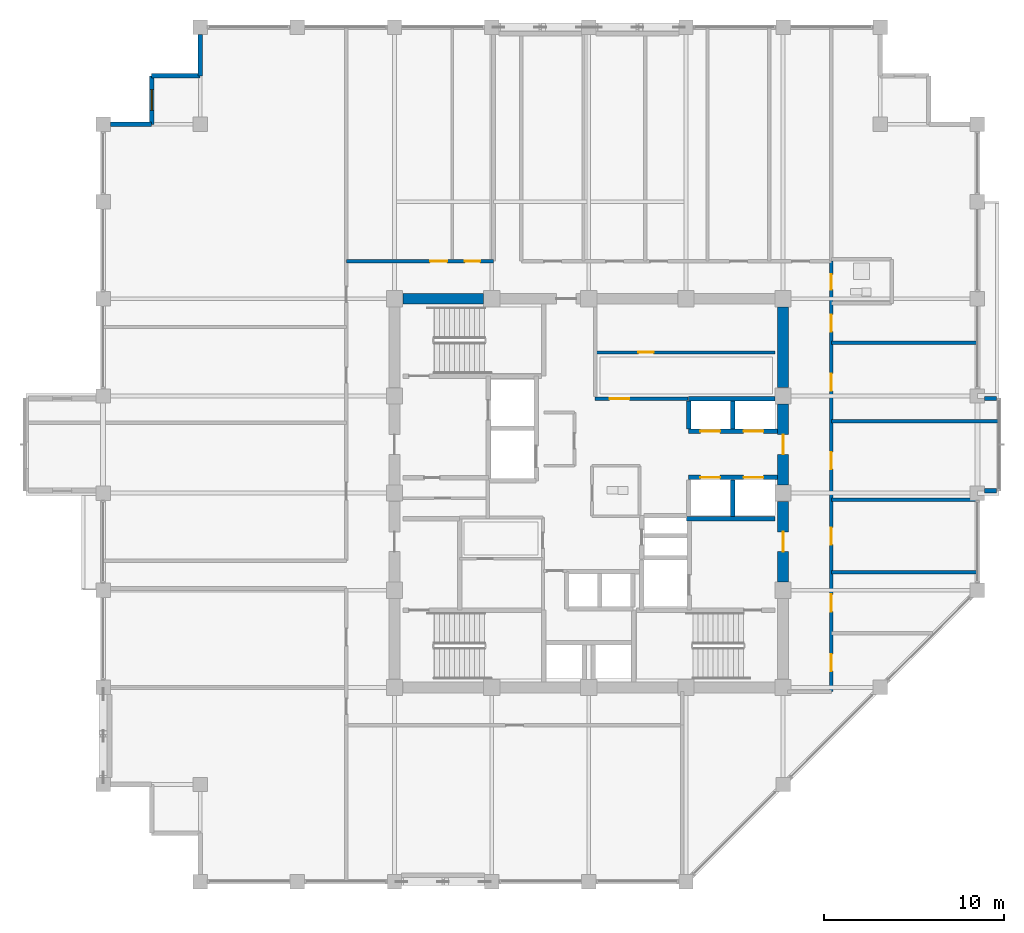
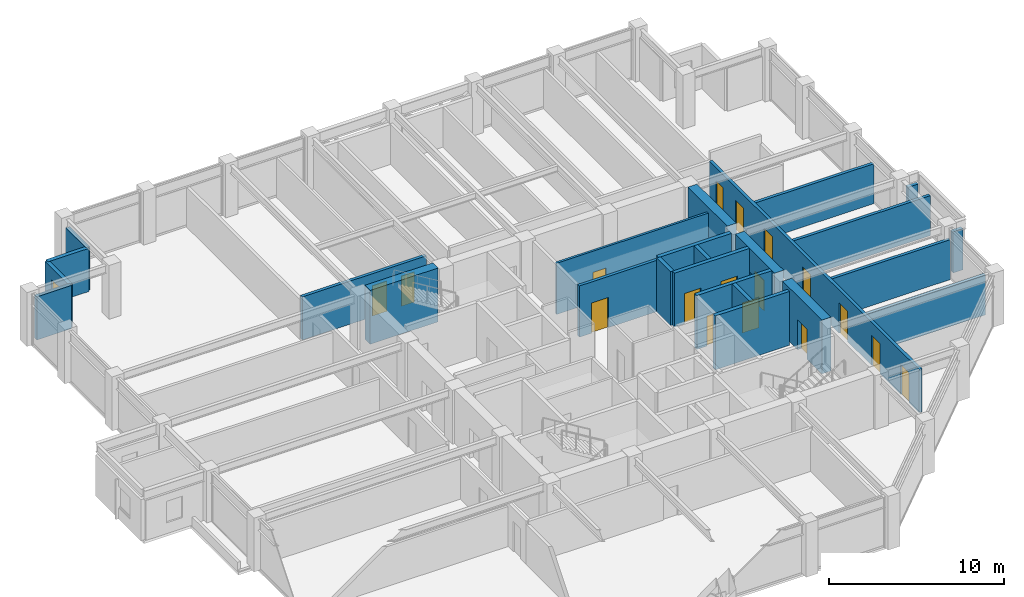
# One storey, part 24 of 28: 25 walls, 17 doors, 1 window, 18 openings.
"""IFC4 building model written with IfcOpenShell, lengths in metres."""

from ifc_helpers import new_model, si_unit, direction, frame, frame_2d, origin, place, context, subcontext, project, spatial, rectangle, extrude, material, layer, layer_set, type_object, element, fill, save


model = new_model("IFC4")

# Units and contexts
model_context = context("Model", 3, precision=1e-05, world=origin(), true_north=direction((0.0, 1.0)))
body_context = subcontext(model_context, "Body", "Model", "MODEL_VIEW")
ifc_project = project(units=[si_unit("LENGTHUNIT", "METRE"), si_unit("AREAUNIT", "SQUARE_METRE"), si_unit("VOLUMEUNIT", "CUBIC_METRE"), si_unit("PLANEANGLEUNIT", "RADIAN"), si_unit("MASSUNIT", "GRAM", prefix="KILO")], contexts=[model_context])

# Site, building, storey
site_placement = place(None, origin())
site = spatial("IfcSite", under=ifc_project, at=site_placement, CompositionType="ELEMENT")
building_placement = place(site_placement, origin())
building = spatial("IfcBuilding", under=site, at=building_placement, Name="Surkhivell Harbour Commons", CompositionType="ELEMENT")
storey_placement = place(building_placement, frame((0.0, 0.0, 238.5)))
storey = spatial("IfcBuildingStorey", under=building, at=storey_placement, Name="L62", CompositionType="ELEMENT", Elevation=238.5)

# Wall
ifc_material_1 = material(Name="Concrete C60/75", Category="concrete")
ifc_layer_1 = layer(ifc_material_1, 0.60009765625)
ifc_layer_set_1 = layer_set([ifc_layer_1], Name="Concrete C60/75")
wall_type_1 = type_object("IfcWallType", Name="WAL-CORE-600", PredefinedType="SHEAR", material=ifc_layer_set_1)
wall_1_placement = place(storey_placement, frame((-10.340087890625, 10.800048828125, 0.0), z_axis=(0.0, 0.0, 1.0), x_axis=(1.0, 0.0, 0.0)))
element("IfcWall", 1, at=wall_1_placement, inside=storey, type_object=wall_type_1, Name="L62 Core Shear Wall North 1", PredefinedType="SHEAR", context=body_context, shape_type="SweptSolid", body=[
    extrude(rectangle(XDim=4.47998046875, YDim=0.60009765625, at=frame_2d((2.239990234375, 0.0))), origin(), (0.0, 0.0, 1.0), 3.75),
])

# Wall, opening, door
wall_2_placement = place(storey_placement, frame((10.800048828125, -4.93994140625, 0.0), z_axis=(0.0, 0.0, 1.0), x_axis=(0.0, 1.0, 0.0)))
wall_2 = element("IfcWall", 2, at=wall_2_placement, inside=storey, type_object=wall_type_1, Name="L62 Core Shear Wall East 2", PredefinedType="SHEAR", context=body_context, shape_type="SweptSolid", body=[
    extrude(rectangle(XDim=4.47998046875, YDim=0.60009765625, at=frame_2d((2.239990234375, 0.0))), origin(), (0.0, 0.0, 1.0), 3.75),
])
opening_1_placement = place(wall_2_placement, frame((1.68994140625, 0.0, 0.0)))
opening_1 = element("IfcOpeningElement", 3, at=opening_1_placement, cuts=wall_2, Name="Opening ID-1", PredefinedType="OPENING", context=body_context, shape_type="SweptSolid", body=[
    extrude(rectangle(XDim=1.10009765625, YDim=2.10009765625, at=frame_2d((0.550048828125, 1.050048828125))), frame((0.0, 0.31005859375, 0.0), z_axis=(0.0, -1.0, 0.0), x_axis=(1.0, 0.0, 0.0)), (0.0, 0.0, 1.0), 0.6201171875),
])
ifc_material_2 = material(Name="Hardwood-veneered fire-rated door leaf", Category="wood")
door_type_1 = type_object("IfcDoorType", Name="DOR-FD120-1100", OperationType="NOTDEFINED", PredefinedType="DOOR", material=ifc_material_2)
door_1_placement = place(opening_1_placement, origin())
door_1 = element("IfcDoor", 4, at=door_1_placement, inside=storey, type_object=door_type_1, Name="L62 Firefighting Lobby 2 Corridor Door", OperationType="SINGLE_SWING_RIGHT", OverallHeight=2.10009765625, OverallWidth=1.10009765625, PredefinedType="DOOR", context=body_context, shape_type="SweptSolid", body=[
    extrude(rectangle(XDim=1.10009765625, YDim=2.10009765625, at=frame_2d((0.550048828125, 1.050048828125))), frame((0.0, 0.02490234375, 0.0), z_axis=(0.0, -1.0, 0.0), x_axis=(1.0, 0.0, 0.0)), (0.0, 0.0, 1.0), 0.050048828125),
])
fill(opening_1, door_1)

wall_3_placement = place(storey_placement, frame((10.800048828125, 0.4599609375, 0.0), z_axis=(0.0, 0.0, 1.0), x_axis=(0.0, 1.0, 0.0)))
wall_3 = element("IfcWall", 5, at=wall_3_placement, inside=storey, type_object=wall_type_1, Name="L62 Core Shear Wall East 3", PredefinedType="SHEAR", context=body_context, shape_type="SweptSolid", body=[
    extrude(rectangle(XDim=4.47998046875, YDim=0.60009765625, at=frame_2d((2.239990234375, 0.0))), origin(), (0.0, 0.0, 1.0), 3.75),
])
opening_2_placement = place(wall_3_placement, frame((1.68994140625, 0.0, 0.0)))
opening_2 = element("IfcOpeningElement", 6, at=opening_2_placement, cuts=wall_3, Name="Opening ID-2", PredefinedType="OPENING", context=body_context, shape_type="SweptSolid", body=[
    extrude(rectangle(XDim=1.10009765625, YDim=2.10009765625, at=frame_2d((0.550048828125, 1.050048828125))), frame((0.0, 0.31005859375, 0.0), z_axis=(0.0, -1.0, 0.0), x_axis=(1.0, 0.0, 0.0)), (0.0, 0.0, 1.0), 0.6201171875),
])
door_type_2 = type_object("IfcDoorType", Name="DOR-FD60-1100", OperationType="NOTDEFINED", PredefinedType="DOOR", material=ifc_material_2)
door_2_placement = place(opening_2_placement, origin())
door_2 = element("IfcDoor", 7, at=door_2_placement, inside=storey, type_object=door_type_2, Name="L62 Mid-Rise Lobby East Door", OperationType="SINGLE_SWING_LEFT", OverallHeight=2.10009765625, OverallWidth=1.10009765625, PredefinedType="DOOR", context=body_context, shape_type="SweptSolid", body=[
    extrude(rectangle(XDim=1.10009765625, YDim=2.10009765625, at=frame_2d((0.550048828125, 1.050048828125))), frame((0.0, 0.02490234375, 0.0), z_axis=(0.0, -1.0, 0.0), x_axis=(1.0, 0.0, 0.0)), (0.0, 0.0, 1.0), 0.050048828125),
])
fill(opening_2, door_2)

# Walls
wall_4_placement = place(storey_placement, frame((10.800048828125, 5.860107421875, 0.0), z_axis=(0.0, 0.0, 1.0), x_axis=(0.0, 1.0, 0.0)))
element("IfcWall", 8, at=wall_4_placement, inside=storey, type_object=wall_type_1, Name="L62 Core Shear Wall East 4", PredefinedType="SHEAR", context=body_context, shape_type="SweptSolid", body=[
    extrude(rectangle(XDim=4.47998046875, YDim=0.60009765625, at=frame_2d((2.239990234375, 0.0))), origin(), (0.0, 0.0, 1.0), 3.75),
])
ifc_material_3 = material(Name="Pale-metal insulated precast concrete C45/55", Category="concrete")
ifc_layer_2 = layer(ifc_material_3, 0.260009765625)
ifc_layer_set_2 = layer_set([ifc_layer_2], Name="Pale-metal insulated precast concrete C45/55")
wall_type_2 = type_object("IfcWallType", Name="WAL-EXT-MTL260", PredefinedType="STANDARD", material=ifc_layer_set_2)
wall_5_placement = place(storey_placement, frame((-21.60009765625, 25.501953125, 0.0), z_axis=(0.0, 0.0, 1.0), x_axis=(0.0, -1.0, 0.0)))
element("IfcWall", 9, at=wall_5_placement, inside=storey, type_object=wall_type_2, Name="L62 Serrated Corner Facade Wall 08", PredefinedType="STANDARD", context=body_context, shape_type="SweptSolid", body=[
    extrude(rectangle(XDim=2.302001953125, YDim=0.260009765625, at=frame_2d((1.15087890625, 0.0))), origin(), (0.0, 0.0, 1.0), 3.006103515625),
])
wall_6_placement = place(storey_placement, frame((-21.60009765625, 23.199951171875, 0.0), z_axis=(0.0, 0.0, 1.0), x_axis=(-1.0, 0.0, 0.0)))
element("IfcWall", 10, at=wall_6_placement, inside=storey, type_object=wall_type_2, Name="L62 Serrated Corner Facade Wall 09", PredefinedType="STANDARD", context=body_context, shape_type="SweptSolid", body=[
    extrude(rectangle(XDim=2.699951171875, YDim=0.260009765625, at=frame_2d((1.35009765625, 0.0))), origin(), (0.0, 0.0, 1.0), 3.006103515625),
])

# Wall, opening, window
wall_7_placement = place(storey_placement, frame((-24.300048828125, 23.199951171875, 0.0), z_axis=(0.0, 0.0, 1.0), x_axis=(0.0, -1.0, 0.0)))
wall_7 = element("IfcWall", 11, at=wall_7_placement, inside=storey, type_object=wall_type_2, Name="L62 Serrated Corner Facade Wall 10", PredefinedType="STANDARD", context=body_context, shape_type="SweptSolid", body=[
    extrude(rectangle(XDim=2.699951171875, YDim=0.260009765625, at=frame_2d((1.35009765625, 0.0))), origin(), (0.0, 0.0, 1.0), 3.006103515625),
])
opening_3_placement = place(wall_7_placement, frame((0.77490234375, 0.0, 0.64990234375)))
opening_3 = element("IfcOpeningElement", 12, at=opening_3_placement, cuts=wall_7, Name="Opening WN-10", PredefinedType="OPENING", context=body_context, shape_type="SweptSolid", body=[
    extrude(rectangle(XDim=1.14990234375, YDim=1.550048828125, at=frame_2d((0.574951171875, 0.77490234375))), frame((0.0, 0.139892578125, 0.0), z_axis=(0.0, -1.0, 0.0), x_axis=(1.0, 0.0, 0.0)), (0.0, 0.0, 1.0), 0.280029296875),
])
ifc_material_4 = material(Name="Thermal-break aluminium frame and double low-E glazing", Category="aluminium")
window_type = type_object("IfcWindowType", Name="WIN-SER-1150x1550", PartitioningType="SINGLE_PANEL", PredefinedType="WINDOW", material=ifc_material_4)
window_placement = place(opening_3_placement, origin())
window = element("IfcWindow", 13, at=window_placement, inside=storey, type_object=window_type, Name="L62 Serrated Alcove Window 10", OverallHeight=1.550048828125, OverallWidth=1.14990234375, PartitioningType="SINGLE_PANEL", PredefinedType="WINDOW", context=body_context, shape_type="SweptSolid", body=[
    extrude(rectangle(XDim=1.14990234375, YDim=1.550048828125, at=frame_2d((0.574951171875, 0.77490234375))), frame((0.0, 0.030029296875, 0.0), z_axis=(0.0, -1.0, 0.0), x_axis=(1.0, 0.0, 0.0)), (0.0, 0.0, 1.0), 0.06005859375),
])
fill(opening_3, window)

# Walls
wall_8_placement = place(storey_placement, frame((-24.300048828125, 20.5, 0.0), z_axis=(0.0, 0.0, 1.0), x_axis=(-1.0, 0.0, 0.0)))
element("IfcWall", 14, at=wall_8_placement, inside=storey, type_object=wall_type_2, Name="L62 Serrated Corner Facade Wall 11", PredefinedType="STANDARD", context=body_context, shape_type="SweptSolid", body=[
    extrude(rectangle(XDim=2.302001953125, YDim=0.260009765625, at=frame_2d((1.15087890625, 0.0))), origin(), (0.0, 0.0, 1.0), 3.006103515625),
])
ifc_material_5 = material(Name="Bronze-ochre cassette precast concrete C45/55", Category="concrete")
ifc_layer_3 = layer(ifc_material_5, 0.239990234375)
ifc_layer_set_3 = layer_set([ifc_layer_3], Name="Bronze-ochre cassette precast concrete C45/55")
wall_type_3 = type_object("IfcWallType", Name="WAL-EXT-OCH240", PredefinedType="STANDARD", material=ifc_layer_set_3)
for number, where, z_axis, x_axis, name in (
    (15, (22.00390625, 0.139892578125, 0.0), (0.0, 0.0, 1.0), (1.0, 0.0, 0.0), "L62 Coloured Box Return Wall 01S"),
    (16, (22.00390625, 5.260009765625, 0.0), (0.0, 0.0, 1.0), (1.0, 0.0, 0.0), "L62 Coloured Box Return Wall 01N"),
):
    element("IfcWall", number, at=place(storey_placement, frame(where, z_axis=z_axis, x_axis=x_axis)), inside=storey, type_object=wall_type_3, Name=name, PredefinedType="STANDARD", context=body_context, shape_type="SweptSolid", body=[
        extrude(rectangle(XDim=0.656005859375, YDim=0.239990234375, at=frame_2d((0.328125, 0.0))), origin(), (0.0, 0.0, 1.0), 2.85693359375),
    ])

# Wall, opening, door
ifc_material_6 = material(Name="Twin-stud acoustic fireboard partition", Category="other")
ifc_layer_4 = layer(ifc_material_6, 0.14990234375)
ifc_layer_set_4 = layer_set([ifc_layer_4], Name="Twin-stud acoustic fireboard partition")
wall_type_4 = type_object("IfcWallType", Name="WAL-INT-150", PredefinedType="PARTITIONING", material=ifc_layer_set_4)
wall_9_placement = place(storey_placement, frame((0.35009765625, 7.820068359375, 0.0), z_axis=(0.0, 0.0, 1.0), x_axis=(1.0, 0.0, 0.0)))
wall_9 = element("IfcWall", 17, at=wall_9_placement, inside=storey, type_object=wall_type_4, Name="L62 Core Archive Partition", PredefinedType="PARTITIONING", context=body_context, shape_type="SweptSolid", body=[
    extrude(rectangle(XDim=9.989990234375, YDim=0.14990234375, at=frame_2d((4.9951171875, 0.0))), origin(), (0.0, 0.0, 1.0), 3.570068359375),
])
opening_4_placement = place(wall_9_placement, frame((2.39990234375, 0.0, 0.0)))
opening_4 = element("IfcOpeningElement", 18, at=opening_4_placement, cuts=wall_9, Name="Opening ID-6", PredefinedType="OPENING", context=body_context, shape_type="SweptSolid", body=[
    extrude(rectangle(XDim=0.85009765625, YDim=2.10009765625, at=frame_2d((0.425048828125, 1.050048828125))), frame((0.0, 0.0849609375, 0.0), z_axis=(0.0, -1.0, 0.0), x_axis=(1.0, 0.0, 0.0)), (0.0, 0.0, 1.0), 0.169921875),
])
door_type_3 = type_object("IfcDoorType", Name="DOR-FD30-850", OperationType="NOTDEFINED", PredefinedType="DOOR", material=ifc_material_2)
door_3_placement = place(opening_4_placement, origin())
door_3 = element("IfcDoor", 19, at=door_3_placement, inside=storey, type_object=door_type_3, Name="L62 Archive Room Door", OperationType="SINGLE_SWING_LEFT", OverallHeight=2.10009765625, OverallWidth=0.85009765625, PredefinedType="DOOR", context=body_context, shape_type="SweptSolid", body=[
    extrude(rectangle(XDim=0.85009765625, YDim=2.10009765625, at=frame_2d((0.425048828125, 1.050048828125))), frame((0.0, 0.02490234375, 0.0), z_axis=(0.0, -1.0, 0.0), x_axis=(1.0, 0.0, 0.0)), (0.0, 0.0, 1.0), 0.050048828125),
])
fill(opening_4, door_3)

ifc_material_7 = material(Name="Autoclaved aerated concrete blockwork and fire plaster", Category="masonry")
ifc_layer_5 = layer(ifc_material_7, 0.199951171875)
ifc_layer_set_5 = layer_set([ifc_layer_5], Name="Autoclaved aerated concrete blockwork and fire plaster")
wall_type_5 = type_object("IfcWallType", Name="WAL-INT-200", PredefinedType="PARTITIONING", material=ifc_layer_set_5)
wall_10_placement = place(storey_placement, frame((0.35009765625, 5.239990234375, 0.0), z_axis=(0.0, 0.0, 1.0), x_axis=(1.0, 0.0, 0.0)))
wall_10 = element("IfcWall", 20, at=wall_10_placement, inside=storey, type_object=wall_type_5, Name="L62 Reclaimed Core North Bay South Wall", PredefinedType="PARTITIONING", context=body_context, shape_type="SweptSolid", body=[
    extrude(rectangle(XDim=5.14990234375, YDim=0.199951171875, at=frame_2d((2.574951171875, 0.0))), origin(), (0.0, 0.0, 1.0), 3.570068359375),
])
opening_5_placement = place(wall_10_placement, frame((0.800048828125, 0.0, 0.0)))
opening_5 = element("IfcOpeningElement", 21, at=opening_5_placement, cuts=wall_10, Name="Opening ID-2", PredefinedType="OPENING", context=body_context, shape_type="SweptSolid", body=[
    extrude(rectangle(XDim=1.10009765625, YDim=2.10009765625, at=frame_2d((0.550048828125, 1.050048828125))), frame((0.0, 0.10986328125, 0.0), z_axis=(0.0, -1.0, 0.0), x_axis=(1.0, 0.0, 0.0)), (0.0, 0.0, 1.0), 0.219970703125),
])
door_4_placement = place(opening_5_placement, origin())
door_4 = element("IfcDoor", 22, at=door_4_placement, inside=storey, type_object=door_type_2, Name="L62 Study Alcove Door", OperationType="SINGLE_SWING_RIGHT", OverallHeight=2.10009765625, OverallWidth=1.10009765625, PredefinedType="DOOR", context=body_context, shape_type="SweptSolid", body=[
    extrude(rectangle(XDim=1.10009765625, YDim=2.10009765625, at=frame_2d((0.550048828125, 1.050048828125))), frame((0.0, 0.02490234375, 0.0), z_axis=(0.0, -1.0, 0.0), x_axis=(1.0, 0.0, 0.0)), (0.0, 0.0, 1.0), 0.050048828125),
])
fill(opening_5, door_4)

# Wall, openings, doors
wall_11_placement = place(storey_placement, frame((13.47998046875, -11.0400390625, 0.0), z_axis=(0.0, 0.0, 1.0), x_axis=(0.0, 1.0, 0.0)))
wall_11 = element("IfcWall", 23, at=wall_11_placement, inside=storey, type_object=wall_type_5, Name="L62 Corridor East Wall", PredefinedType="PARTITIONING", context=body_context, shape_type="SweptSolid", body=[
    extrude(rectangle(XDim=23.93994140625, YDim=0.199951171875, at=frame_2d((11.969970703125, 0.0))), origin(), (0.0, 0.0, 1.0), 3.006103515625),
])
opening_6_placement = place(wall_11_placement, frame((1.139892578125, 0.0, 0.0)))
opening_6 = element("IfcOpeningElement", 24, at=opening_6_placement, cuts=wall_11, Name="Opening ID-4", PredefinedType="OPENING", context=body_context, shape_type="SweptSolid", body=[
    extrude(rectangle(XDim=0.949951171875, YDim=2.10009765625, at=frame_2d((0.47509765625, 1.050048828125))), frame((0.0, 0.10986328125, 0.0), z_axis=(0.0, -1.0, 0.0), x_axis=(1.0, 0.0, 0.0)), (0.0, 0.0, 1.0), 0.219970703125),
])
opening_7_placement = place(wall_11_placement, frame((22.344970703125, 0.0, 0.0)))
opening_7 = element("IfcOpeningElement", 25, at=opening_7_placement, cuts=wall_11, Name="Opening ID-6", PredefinedType="OPENING", context=body_context, shape_type="SweptSolid", body=[
    extrude(rectangle(XDim=0.85009765625, YDim=2.10009765625, at=frame_2d((0.425048828125, 1.050048828125))), frame((0.0, 0.10986328125, 0.0), z_axis=(0.0, -1.0, 0.0), x_axis=(1.0, 0.0, 0.0)), (0.0, 0.0, 1.0), 0.219970703125),
])
opening_8_placement = place(wall_11_placement, frame((20.010009765625, 0.0, 0.0)))
opening_8 = element("IfcOpeningElement", 26, at=opening_8_placement, cuts=wall_11, Name="Opening ID-4", PredefinedType="OPENING", context=body_context, shape_type="SweptSolid", body=[
    extrude(rectangle(XDim=0.949951171875, YDim=2.10009765625, at=frame_2d((0.47509765625, 1.050048828125))), frame((0.0, 0.10986328125, 0.0), z_axis=(0.0, -1.0, 0.0), x_axis=(1.0, 0.0, 0.0)), (0.0, 0.0, 1.0), 0.219970703125),
])
opening_9_placement = place(wall_11_placement, frame((4.455078125, 0.0, 0.0)))
opening_9 = element("IfcOpeningElement", 27, at=opening_9_placement, cuts=wall_11, Name="Opening ID-4", PredefinedType="OPENING", context=body_context, shape_type="SweptSolid", body=[
    extrude(rectangle(XDim=0.949951171875, YDim=2.10009765625, at=frame_2d((0.47509765625, 1.050048828125))), frame((0.0, 0.10986328125, 0.0), z_axis=(0.0, -1.0, 0.0), x_axis=(1.0, 0.0, 0.0)), (0.0, 0.0, 1.0), 0.219970703125),
])
opening_10_placement = place(wall_11_placement, frame((8.169921875, 0.0, 0.0)))
opening_10 = element("IfcOpeningElement", 28, at=opening_10_placement, cuts=wall_11, Name="Opening ID-4", PredefinedType="OPENING", context=body_context, shape_type="SweptSolid", body=[
    extrude(rectangle(XDim=0.949951171875, YDim=2.10009765625, at=frame_2d((0.47509765625, 1.050048828125))), frame((0.0, 0.10986328125, 0.0), z_axis=(0.0, -1.0, 0.0), x_axis=(1.0, 0.0, 0.0)), (0.0, 0.0, 1.0), 0.219970703125),
])
opening_11_placement = place(wall_11_placement, frame((12.3701171875, 0.0, 0.0)))
opening_11 = element("IfcOpeningElement", 29, at=opening_11_placement, cuts=wall_11, Name="Opening ID-4", PredefinedType="OPENING", context=body_context, shape_type="SweptSolid", body=[
    extrude(rectangle(XDim=0.949951171875, YDim=2.10009765625, at=frame_2d((0.47509765625, 1.050048828125))), frame((0.0, 0.10986328125, 0.0), z_axis=(0.0, -1.0, 0.0), x_axis=(1.0, 0.0, 0.0)), (0.0, 0.0, 1.0), 0.219970703125),
])
opening_12_placement = place(wall_11_placement, frame((16.72998046875, 0.0, 0.0)))
opening_12 = element("IfcOpeningElement", 30, at=opening_12_placement, cuts=wall_11, Name="Opening ID-4", PredefinedType="OPENING", context=body_context, shape_type="SweptSolid", body=[
    extrude(rectangle(XDim=0.949951171875, YDim=2.10009765625, at=frame_2d((0.47509765625, 1.050048828125))), frame((0.0, 0.10986328125, 0.0), z_axis=(0.0, -1.0, 0.0), x_axis=(1.0, 0.0, 0.0)), (0.0, 0.0, 1.0), 0.219970703125),
])
door_5_placement = place(opening_7_placement, origin())
door_5 = element("IfcDoor", 31, at=door_5_placement, inside=storey, type_object=door_type_3, Name="L62 Communal Shower Bathroom East Door", OperationType="SINGLE_SWING_LEFT", OverallHeight=2.10009765625, OverallWidth=0.85009765625, PredefinedType="DOOR", context=body_context, shape_type="SweptSolid", body=[
    extrude(rectangle(XDim=0.85009765625, YDim=2.10009765625, at=frame_2d((0.425048828125, 1.050048828125))), frame((0.0, 0.02490234375, 0.0), z_axis=(0.0, -1.0, 0.0), x_axis=(1.0, 0.0, 0.0)), (0.0, 0.0, 1.0), 0.050048828125),
])
fill(opening_7, door_5)
door_type_4 = type_object("IfcDoorType", Name="DOR-FD60-950", OperationType="NOTDEFINED", PredefinedType="DOOR", material=ifc_material_2)
door_6_placement = place(opening_6_placement, origin())
door_6 = element("IfcDoor", 32, at=door_6_placement, inside=storey, type_object=door_type_4, Name="L62 Shared Communal Kitchen East Door", OperationType="SINGLE_SWING_RIGHT", OverallHeight=2.10009765625, OverallWidth=0.949951171875, PredefinedType="DOOR", context=body_context, shape_type="SweptSolid", body=[
    extrude(rectangle(XDim=0.949951171875, YDim=2.10009765625, at=frame_2d((0.47509765625, 1.050048828125))), frame((0.0, 0.02490234375, 0.0), z_axis=(0.0, -1.0, 0.0), x_axis=(1.0, 0.0, 0.0)), (0.0, 0.0, 1.0), 0.050048828125),
])
fill(opening_6, door_6)
door_7_placement = place(opening_8_placement, origin())
door_7 = element("IfcDoor", 33, at=door_7_placement, inside=storey, type_object=door_type_4, Name="L62 Academic Reading Commons East Door", OperationType="SINGLE_SWING_RIGHT", OverallHeight=2.10009765625, OverallWidth=0.949951171875, PredefinedType="DOOR", context=body_context, shape_type="SweptSolid", body=[
    extrude(rectangle(XDim=0.949951171875, YDim=2.10009765625, at=frame_2d((0.47509765625, 1.050048828125))), frame((0.0, 0.02490234375, 0.0), z_axis=(0.0, -1.0, 0.0), x_axis=(1.0, 0.0, 0.0)), (0.0, 0.0, 1.0), 0.050048828125),
])
fill(opening_8, door_7)
door_8_placement = place(opening_9_placement, origin())
door_8 = element("IfcDoor", 34, at=door_8_placement, inside=storey, type_object=door_type_4, Name="L62 Hostel Cluster Bedroom 1 East Door", OperationType="SINGLE_SWING_LEFT", OverallHeight=2.10009765625, OverallWidth=0.949951171875, PredefinedType="DOOR", context=body_context, shape_type="SweptSolid", body=[
    extrude(rectangle(XDim=0.949951171875, YDim=2.10009765625, at=frame_2d((0.47509765625, 1.050048828125))), frame((0.0, 0.02490234375, 0.0), z_axis=(0.0, -1.0, 0.0), x_axis=(1.0, 0.0, 0.0)), (0.0, 0.0, 1.0), 0.050048828125),
])
fill(opening_9, door_8)
door_9_placement = place(opening_10_placement, origin())
door_9 = element("IfcDoor", 35, at=door_9_placement, inside=storey, type_object=door_type_4, Name="L62 Co-Living Dormitory Bedroom 2 East Door", OperationType="SINGLE_SWING_RIGHT", OverallHeight=2.10009765625, OverallWidth=0.949951171875, PredefinedType="DOOR", context=body_context, shape_type="SweptSolid", body=[
    extrude(rectangle(XDim=0.949951171875, YDim=2.10009765625, at=frame_2d((0.47509765625, 1.050048828125))), frame((0.0, 0.02490234375, 0.0), z_axis=(0.0, -1.0, 0.0), x_axis=(1.0, 0.0, 0.0)), (0.0, 0.0, 1.0), 0.050048828125),
])
fill(opening_10, door_9)
door_10_placement = place(opening_11_placement, origin())
door_10 = element("IfcDoor", 36, at=door_10_placement, inside=storey, type_object=door_type_4, Name="L62 Hostel Cluster Bedroom 3 East Door", OperationType="SINGLE_SWING_LEFT", OverallHeight=2.10009765625, OverallWidth=0.949951171875, PredefinedType="DOOR", context=body_context, shape_type="SweptSolid", body=[
    extrude(rectangle(XDim=0.949951171875, YDim=2.10009765625, at=frame_2d((0.47509765625, 1.050048828125))), frame((0.0, 0.02490234375, 0.0), z_axis=(0.0, -1.0, 0.0), x_axis=(1.0, 0.0, 0.0)), (0.0, 0.0, 1.0), 0.050048828125),
])
fill(opening_11, door_10)
door_11_placement = place(opening_12_placement, origin())
door_11 = element("IfcDoor", 37, at=door_11_placement, inside=storey, type_object=door_type_4, Name="L62 Co-Living Dormitory Bedroom 4 East Door", OperationType="SINGLE_SWING_RIGHT", OverallHeight=2.10009765625, OverallWidth=0.949951171875, PredefinedType="DOOR", context=body_context, shape_type="SweptSolid", body=[
    extrude(rectangle(XDim=0.949951171875, YDim=2.10009765625, at=frame_2d((0.47509765625, 1.050048828125))), frame((0.0, 0.02490234375, 0.0), z_axis=(0.0, -1.0, 0.0), x_axis=(1.0, 0.0, 0.0)), (0.0, 0.0, 1.0), 0.050048828125),
])
fill(opening_12, door_11)

wall_12_placement = place(storey_placement, frame((-13.47998046875, 12.89990234375, 0.0), z_axis=(0.0, 0.0, 1.0), x_axis=(1.0, 0.0, 0.0)))
wall_12 = element("IfcWall", 38, at=wall_12_placement, inside=storey, type_object=wall_type_5, Name="L62 Corridor North-West Wall", PredefinedType="PARTITIONING", context=body_context, shape_type="SweptSolid", body=[
    extrude(rectangle(XDim=8.179931640625, YDim=0.199951171875, at=frame_2d((4.08984375, 0.0))), origin(), (0.0, 0.0, 1.0), 3.006103515625),
])
opening_13_placement = place(wall_12_placement, frame((4.659912109375, 0.0, 0.0)))
opening_13 = element("IfcOpeningElement", 39, at=opening_13_placement, cuts=wall_12, Name="Opening ID-4", PredefinedType="OPENING", context=body_context, shape_type="SweptSolid", body=[
    extrude(rectangle(XDim=0.949951171875, YDim=2.10009765625, at=frame_2d((0.47509765625, 1.050048828125))), frame((0.0, 0.10986328125, 0.0), z_axis=(0.0, -1.0, 0.0), x_axis=(1.0, 0.0, 0.0)), (0.0, 0.0, 1.0), 0.219970703125),
])
opening_14_placement = place(wall_12_placement, frame((6.5849609375, 0.0, 0.0)))
opening_14 = element("IfcOpeningElement", 40, at=opening_14_placement, cuts=wall_12, Name="Opening ID-6", PredefinedType="OPENING", context=body_context, shape_type="SweptSolid", body=[
    extrude(rectangle(XDim=0.85009765625, YDim=2.10009765625, at=frame_2d((0.425048828125, 1.050048828125))), frame((0.0, 0.10986328125, 0.0), z_axis=(0.0, -1.0, 0.0), x_axis=(1.0, 0.0, 0.0)), (0.0, 0.0, 1.0), 0.219970703125),
])
door_12_placement = place(opening_14_placement, origin())
door_12 = element("IfcDoor", 41, at=door_12_placement, inside=storey, type_object=door_type_3, Name="L62 Resident Advisory Reception Desk North-West Door", OperationType="SINGLE_SWING_RIGHT", OverallHeight=2.10009765625, OverallWidth=0.85009765625, PredefinedType="DOOR", context=body_context, shape_type="SweptSolid", body=[
    extrude(rectangle(XDim=0.85009765625, YDim=2.10009765625, at=frame_2d((0.425048828125, 1.050048828125))), frame((0.0, 0.02490234375, 0.0), z_axis=(0.0, -1.0, 0.0), x_axis=(1.0, 0.0, 0.0)), (0.0, 0.0, 1.0), 0.050048828125),
])
fill(opening_14, door_12)
door_13_placement = place(opening_13_placement, origin())
door_13 = element("IfcDoor", 42, at=door_13_placement, inside=storey, type_object=door_type_4, Name="L62 Zone Concierge Reception Foyer North-West Door", OperationType="SINGLE_SWING_LEFT", OverallHeight=2.10009765625, OverallWidth=0.949951171875, PredefinedType="DOOR", context=body_context, shape_type="SweptSolid", body=[
    extrude(rectangle(XDim=0.949951171875, YDim=2.10009765625, at=frame_2d((0.47509765625, 1.050048828125))), frame((0.0, 0.02490234375, 0.0), z_axis=(0.0, -1.0, 0.0), x_axis=(1.0, 0.0, 0.0)), (0.0, 0.0, 1.0), 0.050048828125),
])
fill(opening_13, door_13)

# Walls
for number, where, z_axis, x_axis, name in (
    (43, (13.47998046875, -4.409912109375, 0.0), (0.0, 0.0, 1.0), (1.0, 0.0, 0.0), "L62 East Partition BDP1"),
    (44, (13.47998046875, -0.3701171875, 0.0), (0.0, 0.0, 1.0), (1.0, 0.0, 0.0), "L62 East Partition BDP2"),
):
    element("IfcWall", number, at=place(storey_placement, frame(where, z_axis=z_axis, x_axis=x_axis)), inside=storey, type_object=wall_type_5, Name=name, PredefinedType="PARTITIONING", context=body_context, shape_type="SweptSolid", body=[
        extrude(rectangle(XDim=8.06005859375, YDim=0.199951171875, at=frame_2d((4.030029296875, 0.0))), origin(), (0.0, 0.0, 1.0), 2.780029296875),
    ])
wall_13_placement = place(storey_placement, frame((13.47998046875, 3.989990234375, 0.0), z_axis=(0.0, 0.0, 1.0), x_axis=(1.0, 0.0, 0.0)))
element("IfcWall", 45, at=wall_13_placement, inside=storey, type_object=wall_type_5, Name="L62 East Partition BDP3", PredefinedType="PARTITIONING", context=body_context, shape_type="SweptSolid", body=[
    extrude(rectangle(XDim=9.260009765625, YDim=0.199951171875, at=frame_2d((4.6298828125, 0.0))), origin(), (0.0, 0.0, 1.0), 2.780029296875),
])
wall_14_placement = place(storey_placement, frame((13.47998046875, 8.35009765625, 0.0), z_axis=(0.0, 0.0, 1.0), x_axis=(1.0, 0.0, 0.0)))
element("IfcWall", 46, at=wall_14_placement, inside=storey, type_object=wall_type_5, Name="L62 East Partition PTOP", PredefinedType="PARTITIONING", context=body_context, shape_type="SweptSolid", body=[
    extrude(rectangle(XDim=8.06005859375, YDim=0.199951171875, at=frame_2d((4.030029296875, 0.0))), origin(), (0.0, 0.0, 1.0), 2.780029296875),
])
ifc_material_8 = material(Name="Concrete C50/60", Category="concrete")
ifc_layer_6 = layer(ifc_material_8, 0.25)
ifc_layer_set_6 = layer_set([ifc_layer_6], Name="Concrete C50/60")
wall_type_6 = type_object("IfcWallType", Name="WAL-SHAFT-250", PredefinedType="SHEAR", material=ifc_layer_set_6)
wall_15_placement = place(storey_placement, frame((5.43994140625, -1.419921875, 0.0), z_axis=(0.0, 0.0, 1.0), x_axis=(1.0, 0.0, 0.0)))
element("IfcWall", 47, at=wall_15_placement, inside=storey, type_object=wall_type_6, Name="L62 Firefighting Lobby 2 North Wall", PredefinedType="SHEAR", context=body_context, shape_type="SweptSolid", body=[
    extrude(rectangle(XDim=4.900146484375, YDim=0.25, at=frame_2d((2.4501953125, 0.0))), origin(), (0.0, 0.0, 1.0), 3.75),
])
for number, where, z_axis, x_axis, name in (
    (48, (5.550048828125, 3.550048828125, 0.0), (0.0, 0.0, 1.0), (0.0, 1.0, 0.0), "L62 Mid-Rise Shaft Side Wall N"),
    (49, (8.0, 3.550048828125, 0.0), (0.0, 0.0, 1.0), (0.0, 1.0, 0.0), "L62 Mid-Rise Shaft Side Wall N"),
):
    element("IfcWall", number, at=place(storey_placement, frame(where, z_axis=z_axis, x_axis=x_axis)), inside=storey, type_object=wall_type_6, Name=name, PredefinedType="SHEAR", context=body_context, shape_type="SweptSolid", body=[
        extrude(rectangle(XDim=1.570068359375, YDim=0.25, at=frame_2d((0.78515625, 0.0))), origin(), (0.0, 0.0, 1.0), 3.75),
    ])
wall_16_placement = place(storey_placement, frame((8.0, -1.300048828125, 0.0), z_axis=(0.0, 0.0, 1.0), x_axis=(0.0, 1.0, 0.0)))
element("IfcWall", 50, at=wall_16_placement, inside=storey, type_object=wall_type_6, Name="L62 Mid-Rise Shaft Side Wall S", PredefinedType="SHEAR", context=body_context, shape_type="SweptSolid", body=[
    extrude(rectangle(XDim=2.0400390625, YDim=0.25, at=frame_2d((1.02001953125, 0.0))), origin(), (0.0, 0.0, 1.0), 3.75),
])

# Wall, openings, doors
wall_17_placement = place(storey_placement, frame((5.550048828125, 3.429931640625, 0.0), z_axis=(0.0, 0.0, 1.0), x_axis=(1.0, 0.0, 0.0)))
wall_17 = element("IfcWall", 51, at=wall_17_placement, inside=storey, type_object=wall_type_6, Name="L62 Mid-Rise North Front Shaft Wall", PredefinedType="SHEAR", context=body_context, shape_type="SweptSolid", body=[
    extrude(rectangle(XDim=4.949951171875, YDim=0.25, at=frame_2d((2.47509765625, 0.0))), origin(), (0.0, 0.0, 1.0), 3.75),
])
opening_15_placement = place(wall_17_placement, frame((0.64990234375, 0.0, 0.0)))
opening_15 = element("IfcOpeningElement", 52, at=opening_15_placement, cuts=wall_17, Name="Opening LD-1", PredefinedType="OPENING", context=body_context, shape_type="SweptSolid", body=[
    extrude(rectangle(XDim=1.10009765625, YDim=2.10009765625, at=frame_2d((0.550048828125, 1.050048828125))), frame((0.0, 0.135009765625, 0.0), z_axis=(0.0, -1.0, 0.0), x_axis=(1.0, 0.0, 0.0)), (0.0, 0.0, 1.0), 0.27001953125),
])
opening_16_placement = place(wall_17_placement, frame((3.050048828125, 0.0, 0.0)))
opening_16 = element("IfcOpeningElement", 53, at=opening_16_placement, cuts=wall_17, Name="Opening LD-1", PredefinedType="OPENING", context=body_context, shape_type="SweptSolid", body=[
    extrude(rectangle(XDim=1.10009765625, YDim=2.10009765625, at=frame_2d((0.550048828125, 1.050048828125))), frame((0.0, 0.135009765625, 0.0), z_axis=(0.0, -1.0, 0.0), x_axis=(1.0, 0.0, 0.0)), (0.0, 0.0, 1.0), 0.27001953125),
])
ifc_material_9 = material(Name="Brushed stainless steel S355", Category="steel")
door_type_5 = type_object("IfcDoorType", Name="DOR-LD-1100", OperationType="SLIDING_TO_LEFT", PredefinedType="DOOR", material=ifc_material_9)
door_14_placement = place(opening_15_placement, origin())
door_14 = element("IfcDoor", 54, at=door_14_placement, inside=storey, type_object=door_type_5, Name="L62 Lift Landing Door LD-PM1", OperationType="SLIDING_TO_RIGHT", OverallHeight=2.10009765625, OverallWidth=1.10009765625, PredefinedType="DOOR", context=body_context, shape_type="SweptSolid", body=[
    extrude(rectangle(XDim=1.10009765625, YDim=2.10009765625, at=frame_2d((0.550048828125, 1.050048828125))), frame((0.0, 0.02490234375, 0.0), z_axis=(0.0, -1.0, 0.0), x_axis=(1.0, 0.0, 0.0)), (0.0, 0.0, 1.0), 0.050048828125),
])
fill(opening_15, door_14)
door_15_placement = place(opening_16_placement, origin())
door_15 = element("IfcDoor", 55, at=door_15_placement, inside=storey, type_object=door_type_5, Name="L62 Lift Landing Door LD-PM2", OperationType="SLIDING_TO_RIGHT", OverallHeight=2.10009765625, OverallWidth=1.10009765625, PredefinedType="DOOR", context=body_context, shape_type="SweptSolid", body=[
    extrude(rectangle(XDim=1.10009765625, YDim=2.10009765625, at=frame_2d((0.550048828125, 1.050048828125))), frame((0.0, 0.02490234375, 0.0), z_axis=(0.0, -1.0, 0.0), x_axis=(1.0, 0.0, 0.0)), (0.0, 0.0, 1.0), 0.050048828125),
])
fill(opening_16, door_15)

# Wall
wall_18_placement = place(storey_placement, frame((5.550048828125, 5.239990234375, 0.0), z_axis=(0.0, 0.0, 1.0), x_axis=(1.0, 0.0, 0.0)))
element("IfcWall", 56, at=wall_18_placement, inside=storey, type_object=wall_type_6, Name="L62 Mid-Rise North Back Shaft Wall", PredefinedType="SHEAR", context=body_context, shape_type="SweptSolid", body=[
    extrude(rectangle(XDim=4.800048828125, YDim=0.25, at=frame_2d((2.39990234375, 0.0))), origin(), (0.0, 0.0, 1.0), 3.75),
])

# Wall, openings, doors
wall_19_placement = place(storey_placement, frame((5.550048828125, 0.8701171875, 0.0), z_axis=(0.0, 0.0, 1.0), x_axis=(1.0, 0.0, 0.0)))
wall_19 = element("IfcWall", 57, at=wall_19_placement, inside=storey, type_object=wall_type_6, Name="L62 Mid-Rise South Front Shaft Wall", PredefinedType="SHEAR", context=body_context, shape_type="SweptSolid", body=[
    extrude(rectangle(XDim=4.949951171875, YDim=0.25, at=frame_2d((2.47509765625, 0.0))), origin(), (0.0, 0.0, 1.0), 3.75),
])
opening_17_placement = place(wall_19_placement, frame((0.64990234375, 0.0, 0.0)))
opening_17 = element("IfcOpeningElement", 58, at=opening_17_placement, cuts=wall_19, Name="Opening LD-1", PredefinedType="OPENING", context=body_context, shape_type="SweptSolid", body=[
    extrude(rectangle(XDim=1.10009765625, YDim=2.10009765625, at=frame_2d((0.550048828125, 1.050048828125))), frame((0.0, 0.135009765625, 0.0), z_axis=(0.0, -1.0, 0.0), x_axis=(1.0, 0.0, 0.0)), (0.0, 0.0, 1.0), 0.27001953125),
])
opening_18_placement = place(wall_19_placement, frame((3.050048828125, 0.0, 0.0)))
opening_18 = element("IfcOpeningElement", 59, at=opening_18_placement, cuts=wall_19, Name="Opening LD-1", PredefinedType="OPENING", context=body_context, shape_type="SweptSolid", body=[
    extrude(rectangle(XDim=1.10009765625, YDim=2.10009765625, at=frame_2d((0.550048828125, 1.050048828125))), frame((0.0, 0.135009765625, 0.0), z_axis=(0.0, -1.0, 0.0), x_axis=(1.0, 0.0, 0.0)), (0.0, 0.0, 1.0), 0.27001953125),
])
door_16_placement = place(opening_17_placement, origin())
door_16 = element("IfcDoor", 60, at=door_16_placement, inside=storey, type_object=door_type_5, Name="L62 Lift Landing Door LD-PM3", OperationType="SLIDING_TO_RIGHT", OverallHeight=2.10009765625, OverallWidth=1.10009765625, PredefinedType="DOOR", context=body_context, shape_type="SweptSolid", body=[
    extrude(rectangle(XDim=1.10009765625, YDim=2.10009765625, at=frame_2d((0.550048828125, 1.050048828125))), frame((0.0, 0.02490234375, 0.0), z_axis=(0.0, -1.0, 0.0), x_axis=(1.0, 0.0, 0.0)), (0.0, 0.0, 1.0), 0.050048828125),
])
fill(opening_17, door_16)
door_17_placement = place(opening_18_placement, origin())
door_17 = element("IfcDoor", 61, at=door_17_placement, inside=storey, type_object=door_type_5, Name="L62 Lift Landing Door LD-PM4", OperationType="SLIDING_TO_RIGHT", OverallHeight=2.10009765625, OverallWidth=1.10009765625, PredefinedType="DOOR", context=body_context, shape_type="SweptSolid", body=[
    extrude(rectangle(XDim=1.10009765625, YDim=2.10009765625, at=frame_2d((0.550048828125, 1.050048828125))), frame((0.0, 0.02490234375, 0.0), z_axis=(0.0, -1.0, 0.0), x_axis=(1.0, 0.0, 0.0)), (0.0, 0.0, 1.0), 0.050048828125),
])
fill(opening_18, door_17)

save(model, "model.ifc")
